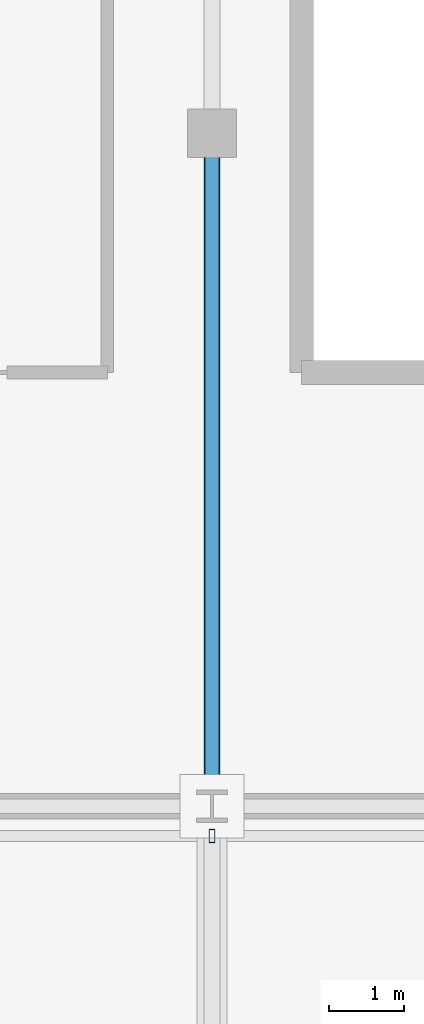
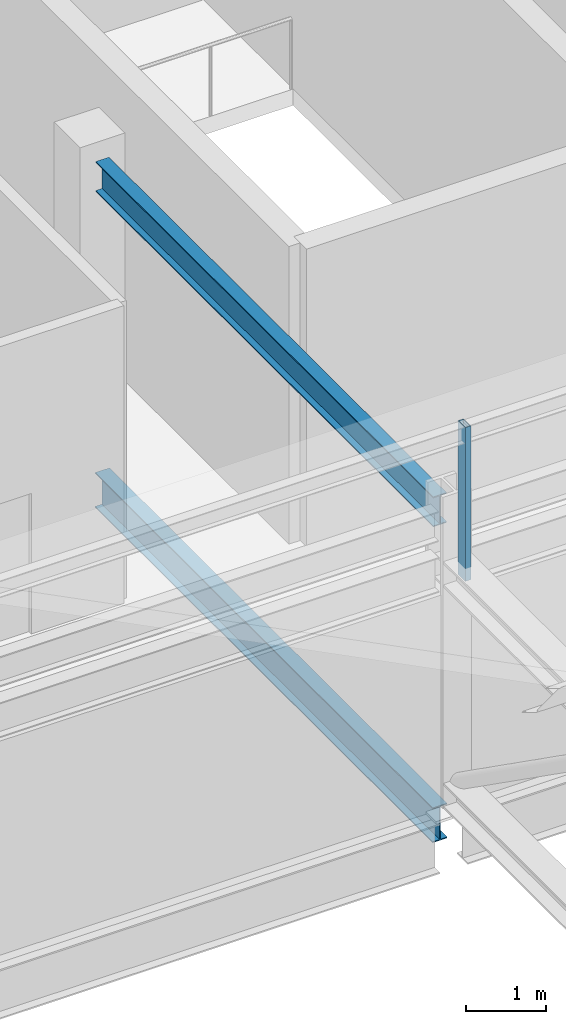
# One storey, part 46 of 136: 2 beams, 1 member.
"""IFC4 building model written with IfcOpenShell, lengths in metres."""

from ifc_helpers import new_model, si_unit, direction, frame, origin, origin_2d, place, context, subcontext, project, spatial, hollow_rectangle, i_section, extrude, material, material_profile, profile_set, type_object, element, save


model = new_model("IFC4")

# Units and contexts
model_context = context("Model", 3, precision=1e-05, world=origin(), true_north=direction((0.0, 1.0)))
body_context = subcontext(model_context, "Body", "Model", "MODEL_VIEW")
ifc_project = project(units=[si_unit("LENGTHUNIT", "METRE"), si_unit("AREAUNIT", "SQUARE_METRE"), si_unit("VOLUMEUNIT", "CUBIC_METRE"), si_unit("PLANEANGLEUNIT", "RADIAN"), si_unit("MASSUNIT", "GRAM", prefix="KILO")], contexts=[model_context])

# Site, building, storey
site_placement = place(None, origin())
site = spatial("IfcSite", under=ifc_project, at=site_placement, CompositionType="ELEMENT")
building_placement = place(site_placement, origin())
building = spatial("IfcBuilding", under=site, at=building_placement, Name="Kisiwana Market Hall", CompositionType="ELEMENT")
storey_placement = place(building_placement, frame((0.0, 0.0, 16.800048828125)))
storey = spatial("IfcBuildingStorey", under=building, at=storey_placement, Name="L03", CompositionType="ELEMENT", Elevation=16.800048828125)

# Beams
ifc_material_1 = material(Name="Steel S355", Category="steel")
ifc_material_profile_1 = material_profile(ifc_material_1, i_section(OverallWidth=0.19140625, OverallDepth=0.4599609375, WebThickness=0.010009765625, FlangeThickness=0.01611328125, at=origin_2d()), Name="UB 457x191x82")
ifc_profile_set_1 = profile_set([ifc_material_profile_1], Name="Steel S355")
beam_type_1 = type_object("IfcBeamType", Name="BM-GIRD-UB457H", PredefinedType="BEAM", material=ifc_profile_set_1)
beam_1_placement = place(storey_placement, frame((63.0, 84.21337890625, 4.27783203125), z_axis=(0.0, 1.0, 0.0), x_axis=(-1.0, 0.0, 0.0)))
element("IfcBeam", 1, at=beam_1_placement, inside=storey, type_object=beam_type_1, Name="Roof girder B-1158", PredefinedType="BEAM", context=body_context, shape_type="SweptSolid", body=[
    extrude(i_section(OverallWidth=0.19140625, OverallDepth=0.4599609375, WebThickness=0.010009765625, FlangeThickness=0.01611328125, at=origin_2d()), origin(), (0.0, 0.0, 1.0), 8.465576171875),
])
ifc_material_2 = material(Name="Steel S355", Category="steel")
ifc_material_profile_2 = material_profile(ifc_material_2, i_section(OverallWidth=0.209228515625, OverallDepth=0.533203125, WebThickness=0.010009765625, FlangeThickness=0.015625, at=origin_2d()), Name="UB 533x210x92")
ifc_profile_set_2 = profile_set([ifc_material_profile_2], Name="Steel S355")
beam_type_2 = type_object("IfcBeamType", Name="BM-GIRD-UB533", PredefinedType="BEAM", material=ifc_profile_set_2)
beam_2_placement = place(storey_placement, frame((63.0, 84.21337890625, -0.5166015625), z_axis=(0.0, 1.0, 0.0), x_axis=(-1.0, 0.0, 0.0)))
element("IfcBeam", 2, at=beam_2_placement, inside=storey, type_object=beam_type_2, Name="Primary girder B-0886", PredefinedType="BEAM", context=body_context, shape_type="SweptSolid", body=[
    extrude(i_section(OverallWidth=0.209228515625, OverallDepth=0.533203125, WebThickness=0.010009765625, FlangeThickness=0.015625, at=origin_2d()), origin(), (0.0, 0.0, 1.0), 8.465576171875),
])

# Member
ifc_material_3 = material(Name="Steel S355", Category="steel")
ifc_material_profile_3 = material_profile(ifc_material_3, hollow_rectangle(XDim=0.080078125, YDim=0.179931640625, WallThickness=0.00634765625, at=origin_2d()), Name="RHS 180x80x6.3")
ifc_profile_set_3 = profile_set([ifc_material_profile_3], Name="Steel S355")
member_type = type_object("IfcMemberType", Name="MB-CAN-STRUT", PredefinedType="STRUT", material=ifc_profile_set_3)
member_placement = place(storey_placement, frame((63.0, 83.60009765625, 3.619873046875), z_axis=(0.0, 0.0, 1.0), x_axis=(1.0, 0.0, 0.0)))
element("IfcMember", 3, at=member_placement, inside=storey, type_object=member_type, Name="Sawtooth raker post 336 M-0323", PredefinedType="STRUT", context=body_context, shape_type="SweptSolid", body=[
    extrude(hollow_rectangle(XDim=0.080078125, YDim=0.179931640625, WallThickness=0.00634765625, at=origin_2d()), origin(), (0.0, 0.0, 1.0), 2.355712890625),
])

save(model, "model.ifc")
